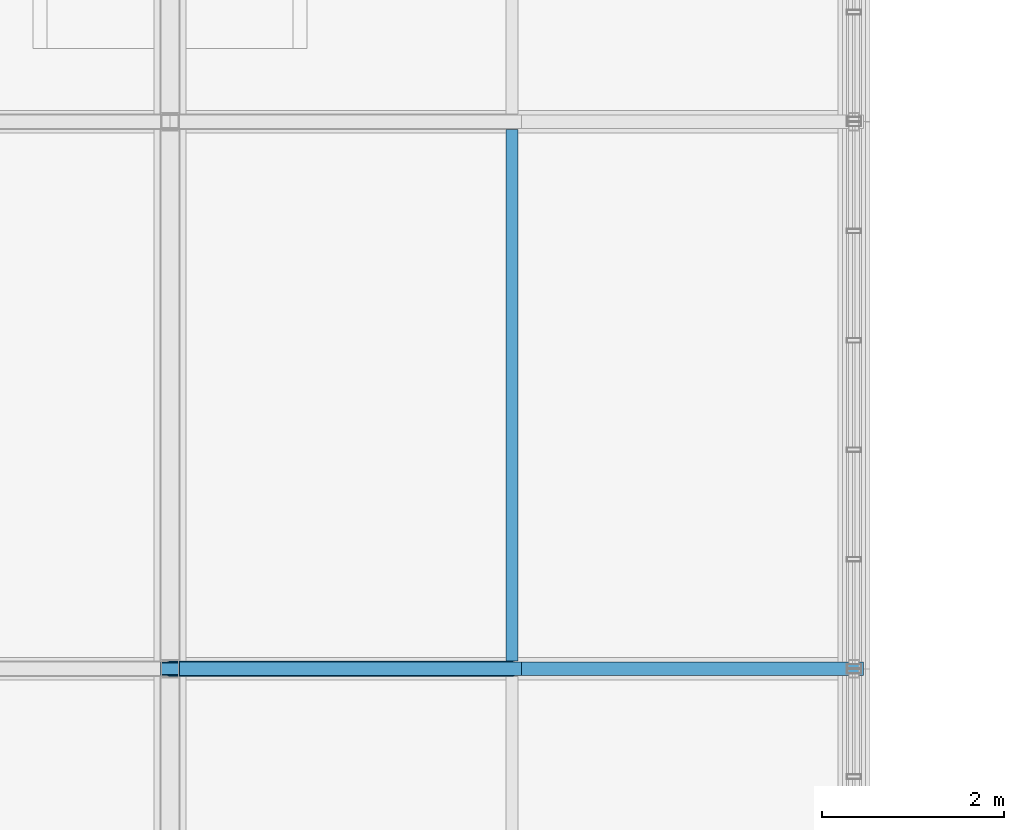
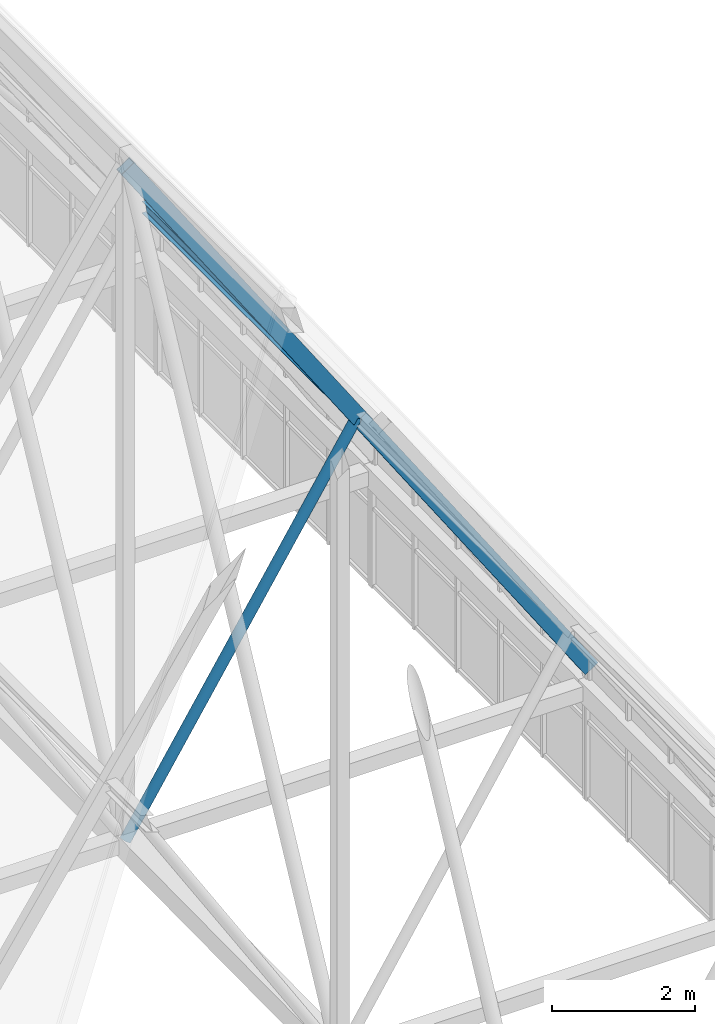
# One storey, part 223 of 324: 3 members, 1 beam.
"""IFC4 building model written with IfcOpenShell, lengths in metres."""

from ifc_helpers import new_model, si_unit, direction, frame, origin, origin_2d, place, context, subcontext, project, spatial, hollow_rectangle, hollow_circle, i_section, extrude, material, material_profile, profile_set, type_object, element, save


model = new_model("IFC4")

# Units and contexts
model_context = context("Model", 3, precision=1e-05, world=origin(), true_north=direction((0.0, 1.0)))
body_context = subcontext(model_context, "Body", "Model", "MODEL_VIEW")
ifc_project = project(units=[si_unit("LENGTHUNIT", "METRE"), si_unit("AREAUNIT", "SQUARE_METRE"), si_unit("VOLUMEUNIT", "CUBIC_METRE"), si_unit("PLANEANGLEUNIT", "RADIAN"), si_unit("MASSUNIT", "GRAM", prefix="KILO")], contexts=[model_context])

# Site, building, storey
site_placement = place(None, origin())
site = spatial("IfcSite", under=ifc_project, at=site_placement, CompositionType="ELEMENT")
building_placement = place(site_placement, origin())
building = spatial("IfcBuilding", under=site, at=building_placement, Name="Solvenia Promenade Tram Depot", CompositionType="ELEMENT")
storey_placement = place(building_placement, frame((0.0, 0.0, 4.5)))
storey = spatial("IfcBuildingStorey", under=building, at=storey_placement, Name="L01", CompositionType="ELEMENT", Elevation=4.5)

# Members
ifc_material_1 = material(Name="Structural steel ASTM A500 Gr. C", Category="steel")
ifc_material_profile_1 = material_profile(ifc_material_1, hollow_rectangle(XDim=0.14990234375, YDim=0.25, WallThickness=0.010009765625, at=origin_2d()), Name="HSS250x150x10", Category="steel")
ifc_profile_set_1 = profile_set([ifc_material_profile_1], Name="Structural steel ASTM A500 Gr. C")
member_type_1 = type_object("IfcMemberType", Name="Chord-HSS250x150x10", PredefinedType="CHORD", material=ifc_profile_set_1)
for number, where, z_axis, x_axis, name in (
    (1, (142.5, 84.0, 14.132080078125), (0.557259486914, 0.0, -0.83033840345), (0.0, 1.0, 0.0), "Zigzag Gable 10 East Upper Rafter"),
    (2, (146.25, 84.0, 8.54443359375), (0.557276274528, 0.0, -0.830327136644), (0.0, 1.0, 0.0), "Zigzag Gable 10 East Lower Rafter"),
):
    element("IfcMember", number, at=place(storey_placement, frame(where, z_axis=z_axis, x_axis=x_axis)), inside=storey, type_object=member_type_1, Name=name, PredefinedType="CHORD", context=body_context, shape_type="SweptSolid", body=[
        extrude(hollow_rectangle(XDim=0.14990234375, YDim=0.25, WallThickness=0.010009765625, at=origin_2d()), origin(), (0.0, 0.0, 1.0), 6.729248046875),
    ])

# Beam
ifc_material_2 = material(Name="Structural steel ASTM A992 Gr. 50", Category="steel")
ifc_material_profile_2 = material_profile(ifc_material_2, i_section(OverallWidth=0.133056640625, OverallDepth=0.20703125, WebThickness=0.005859375, FlangeThickness=0.00830078125, FilletRadius=0.009033203125, at=origin_2d()), Name="W200x27", Category="steel")
ifc_profile_set_2 = profile_set([ifc_material_profile_2], Name="Structural steel ASTM A992 Gr. 50")
beam_type = type_object("IfcBeamType", Name="Purlin-W200x27", PredefinedType="USERDEFINED", material=ifc_profile_set_2)
beam_placement = place(storey_placement, frame((146.25, 84.0849609375, 8.551025390625), z_axis=(0.0, 1.0, 0.0), x_axis=(-1.0, 0.0, 0.0)))
element("IfcBeam", 3, at=beam_placement, inside=storey, type_object=beam_type, Name="Gable Roof Purlin E-0188", ObjectType="PURLIN", PredefinedType="USERDEFINED", context=body_context, shape_type="SweptSolid", body=[
    extrude(i_section(OverallWidth=0.133056640625, OverallDepth=0.20703125, WebThickness=0.005859375, FlangeThickness=0.00830078125, FilletRadius=0.009033203125, at=origin_2d()), origin(), (0.0, 0.0, 1.0), 5.830078125),
])

# Member
ifc_material_profile_3 = material_profile(ifc_material_1, hollow_circle(Radius=0.084228515625, WallThickness=0.008056640625, at=origin_2d()), Name="CHS168.3x8", Category="steel")
ifc_profile_set_3 = profile_set([ifc_material_profile_3], Name="Structural steel ASTM A500 Gr. C")
member_type_2 = type_object("IfcMemberType", Name="WebDiag-CHS168x8", PredefinedType="BRACE", material=ifc_profile_set_3)
member_placement = place(storey_placement, frame((142.5, 84.0, 2.614013671875), z_axis=(0.534448484902, 0.0, 0.845201051221), x_axis=(0.0, 1.0, 0.0)))
element("IfcMember", 4, at=member_placement, inside=storey, type_object=member_type_2, Name="Zigzag Gable 10 East Knee Strut", PredefinedType="BRACE", context=body_context, shape_type="SweptSolid", body=[
    extrude(hollow_circle(Radius=0.084228515625, WallThickness=0.008056640625, at=origin_2d()), origin(), (0.0, 0.0, 1.0), 7.0166015625),
])

save(model, "model.ifc")
